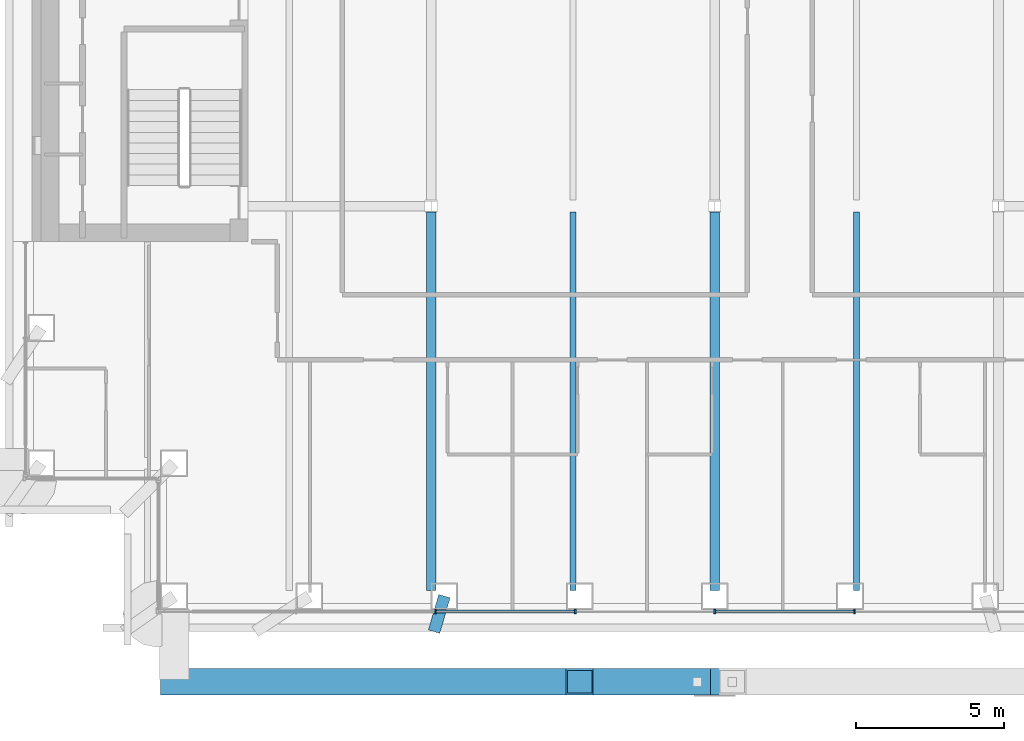
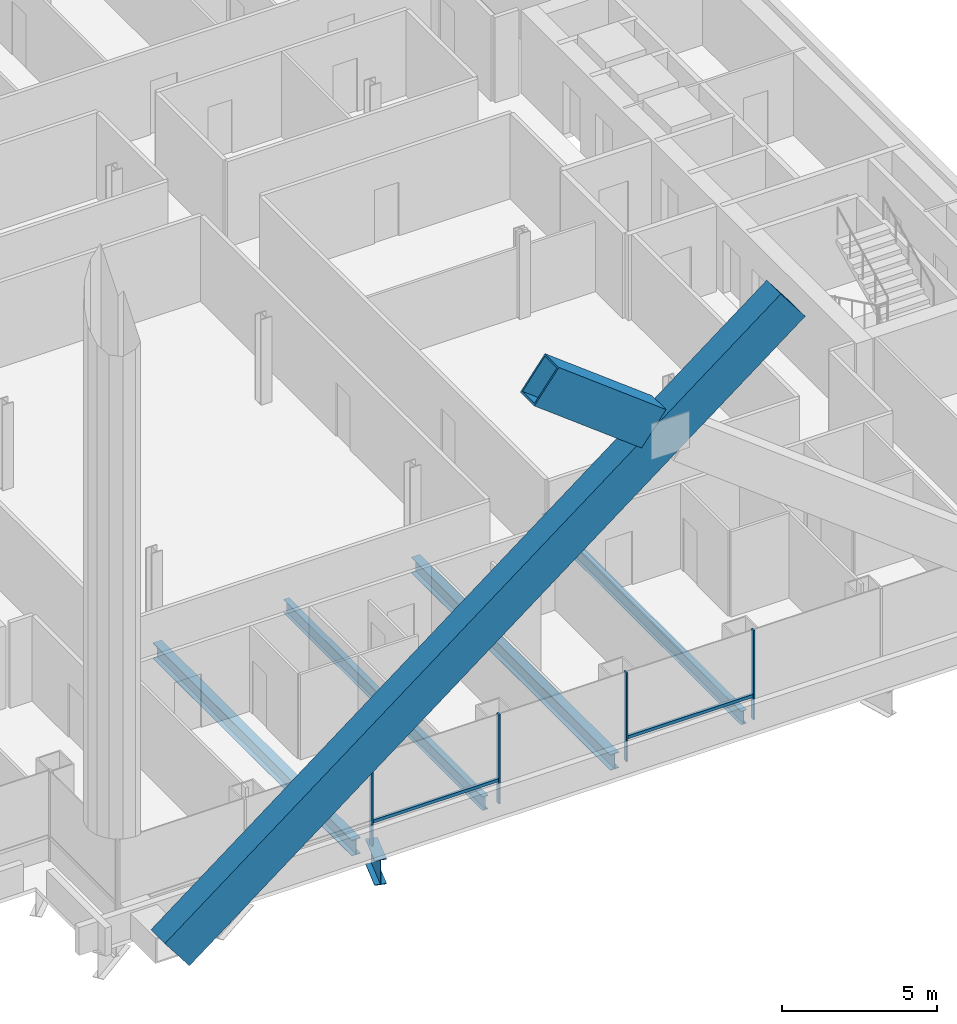
# One storey, part 3 of 22: 8 members, 5 beams, 1 element without a shape of its own.
"""IFC4 building model written with IfcOpenShell, lengths in metres."""

from ifc_helpers import new_model, si_unit, direction, frame, origin, origin_2d, place, context, subcontext, project, spatial, rectangle, hollow_rectangle, i_section, extrude, material, material_profile, profile_set, type_object, element, aggregate, save


model = new_model("IFC4")

# Units and contexts
model_context = context("Model", 3, precision=1e-05, world=origin(), true_north=direction((0.0, 1.0)))
body_context = subcontext(model_context, "Body", "Model", "MODEL_VIEW")
ifc_project = project(units=[si_unit("LENGTHUNIT", "METRE"), si_unit("AREAUNIT", "SQUARE_METRE"), si_unit("VOLUMEUNIT", "CUBIC_METRE"), si_unit("PLANEANGLEUNIT", "RADIAN"), si_unit("MASSUNIT", "GRAM", prefix="KILO")], contexts=[model_context])

# Site, building, storey
site_placement = place(None, origin())
site = spatial("IfcSite", under=ifc_project, at=site_placement, CompositionType="ELEMENT")
building_placement = place(site_placement, origin())
building = spatial("IfcBuilding", under=site, at=building_placement, Name="Cobrizo Arcos Hotel Tower", CompositionType="ELEMENT")
storey_placement = place(building_placement, frame((0.0, 0.0, 89.0)))
storey = spatial("IfcBuildingStorey", under=building, at=storey_placement, Name="L21", CompositionType="ELEMENT", Elevation=89.0)

# Members
ifc_material_1 = material(Name="Steel ASTM A572 Grade 50", Category="steel")
ifc_material_profile_1 = material_profile(ifc_material_1, hollow_rectangle(XDim=0.89990234375, YDim=1.5, WallThickness=0.06494140625, at=origin_2d()), Name="BOX 900X1500X65")
ifc_profile_set_1 = profile_set([ifc_material_profile_1], Name="Steel ASTM A572 Grade 50")
member_type_1 = type_object("IfcMemberType", Name="BOX 900X1500X65 perimeter brace", PredefinedType="BRACE", material=ifc_profile_set_1)
member_1_placement = place(storey_placement, frame((-18.300048828125, -25.699951171875, 0.5), z_axis=(0.794234626601, 0.0, 0.607611189749), x_axis=(0.0, 1.0, 0.0)))
element("IfcMember", 1, at=member_1_placement, inside=storey, type_object=member_type_1, Name="Perimeter brace PBR2, zone Z2, south face, no. 00", PredefinedType="BRACE", context=body_context, shape_type="SweptSolid", body=[
    extrude(hollow_rectangle(XDim=0.89990234375, YDim=1.5, WallThickness=0.06494140625, at=origin_2d()), origin(), (0.0, 0.0, 1.0), 28.80126953125),
])
member_2_placement = place(storey_placement, frame((-0.59326171875, -25.699951171875, 14.953857421875), z_axis=(-0.794230645471, 0.0, 0.607616393619), x_axis=(0.0, -1.0, 0.0)))
element("IfcMember", 2, at=member_2_placement, inside=storey, type_object=member_type_1, Name="Perimeter brace PBR2, zone Z2, south face, no. 01b", PredefinedType="BRACE", context=body_context, shape_type="SweptSolid", body=[
    extrude(hollow_rectangle(XDim=0.89990234375, YDim=1.5, WallThickness=0.06494140625, at=origin_2d()), origin(), (0.0, 0.0, 1.0), 5.01318359375),
])

# Curtain wall, members
ifc_material_2 = material(Name="Aluminium 6063-T6 anodised bronze", Category="aluminium")
curtain_wall_type = type_object("IfcCurtainWallType", Name="CW-A guest facade", PredefinedType="NOTDEFINED", material=ifc_material_2)
curtain_wall_placement = place(storey_placement, origin())
curtain_wall = element("IfcCurtainWall", 3, at=curtain_wall_placement, inside=storey, type_object=curtain_wall_type, Name="CW-A L21 S face", PredefinedType="NOTDEFINED")
ifc_material_profile_2 = material_profile(ifc_material_2, rectangle(XDim=0.14990234375, YDim=0.06005859375, at=origin_2d()), Name="CW-A mullion 150x60")
ifc_profile_set_2 = profile_set([ifc_material_profile_2], Name="Aluminium 6063-T6 anodised bronze")
member_type_2 = type_object("IfcMemberType", Name="CW-A mullion 150x60", PredefinedType="MULLION", material=ifc_profile_set_2)
member_3_placement = place(storey_placement, frame((-9.449951171875, -23.324951171875, 0.0), z_axis=(0.0, 0.0, 1.0), x_axis=(0.0, -1.0, 0.0)))
member_3 = element("IfcMember", 4, at=member_3_placement, type_object=member_type_2, Name="CW-A mullion 3", PredefinedType="MULLION", context=body_context, shape_type="SweptSolid", body=[
    extrude(rectangle(XDim=0.14990234375, YDim=0.06005859375, at=origin_2d()), origin(), (0.0, 0.0, 1.0), 3.5),
])
member_4_placement = place(storey_placement, frame((-4.72509765625, -23.324951171875, 0.0), z_axis=(0.0, 0.0, 1.0), x_axis=(0.0, -1.0, 0.0)))
member_4 = element("IfcMember", 5, at=member_4_placement, type_object=member_type_2, Name="CW-A mullion 4", PredefinedType="MULLION", context=body_context, shape_type="SweptSolid", body=[
    extrude(rectangle(XDim=0.14990234375, YDim=0.06005859375, at=origin_2d()), origin(), (0.0, 0.0, 1.0), 3.5),
])
member_5_placement = place(storey_placement, frame((0.0, -23.324951171875, 0.0), z_axis=(0.0, 0.0, 1.0), x_axis=(0.0, -1.0, 0.0)))
member_5 = element("IfcMember", 6, at=member_5_placement, type_object=member_type_2, Name="CW-A mullion 5", PredefinedType="MULLION", context=body_context, shape_type="SweptSolid", body=[
    extrude(rectangle(XDim=0.14990234375, YDim=0.06005859375, at=origin_2d()), origin(), (0.0, 0.0, 1.0), 3.5),
])
member_6_placement = place(storey_placement, frame((4.72509765625, -23.324951171875, 0.0), z_axis=(0.0, 0.0, 1.0), x_axis=(0.0, -1.0, 0.0)))
member_6 = element("IfcMember", 7, at=member_6_placement, type_object=member_type_2, Name="CW-A mullion 6", PredefinedType="MULLION", context=body_context, shape_type="SweptSolid", body=[
    extrude(rectangle(XDim=0.14990234375, YDim=0.06005859375, at=origin_2d()), origin(), (0.0, 0.0, 1.0), 3.5),
])
ifc_material_profile_3 = material_profile(ifc_material_2, rectangle(XDim=0.10009765625, YDim=0.1201171875, at=origin_2d()), Name="CW-A transom 120x100")
ifc_profile_set_3 = profile_set([ifc_material_profile_3], Name="Aluminium 6063-T6 anodised bronze")
member_type_3 = type_object("IfcMemberType", Name="CW-A transom 120x100", PredefinedType="USERDEFINED", material=ifc_profile_set_3)
member_7_placement = place(storey_placement, frame((-9.419921875, -23.324951171875, 0.929931640625), z_axis=(1.0, 0.0, 0.0), x_axis=(0.0, 1.0, 0.0)))
member_7 = element("IfcMember", 8, at=member_7_placement, type_object=member_type_3, Name="CW-A transom 853", ObjectType="TRANSOM", PredefinedType="USERDEFINED", context=body_context, shape_type="SweptSolid", body=[
    extrude(rectangle(XDim=0.10009765625, YDim=0.1201171875, at=origin_2d()), origin(), (0.0, 0.0, 1.0), 4.6650390625),
])
member_8_placement = place(storey_placement, frame((0.030029296875, -23.324951171875, 0.929931640625), z_axis=(1.0, 0.0, 0.0), x_axis=(0.0, 1.0, 0.0)))
member_8 = element("IfcMember", 9, at=member_8_placement, type_object=member_type_3, Name="CW-A transom 855", ObjectType="TRANSOM", PredefinedType="USERDEFINED", context=body_context, shape_type="SweptSolid", body=[
    extrude(rectangle(XDim=0.10009765625, YDim=0.1201171875, at=origin_2d()), origin(), (0.0, 0.0, 1.0), 4.6650390625),
])
aggregate(curtain_wall, [member_3, member_4, member_5, member_6, member_7, member_8])

# Beams
ifc_material_3 = material(Name="Steel ASTM A992 Grade 50", Category="steel")
ifc_material_profile_4 = material_profile(ifc_material_3, i_section(OverallWidth=0.209228515625, OverallDepth=0.533447265625, WebThickness=0.01025390625, FlangeThickness=0.015625, at=origin_2d()), Name="W21X62")
ifc_profile_set_4 = profile_set([ifc_material_profile_4], Name="Steel ASTM A992 Grade 50")
beam_type_1 = type_object("IfcBeamType", Name="W21X62 joist", PredefinedType="JOIST", material=ifc_profile_set_4)
for number, where, z_axis, x_axis, name in (
    (10, (-4.800048828125, -22.599609375, -0.416748046875), (0.0, 1.0, 0.0), (-1.0, 0.0, 0.0), "Floor joist J1, L21, no. 009"),
    (11, (4.800048828125, -22.599609375, -0.416748046875), (0.0, 1.0, 0.0), (-1.0, 0.0, 0.0), "Floor joist J1, L21, no. 013"),
):
    element("IfcBeam", number, at=place(storey_placement, frame(where, z_axis=z_axis, x_axis=x_axis)), inside=storey, type_object=beam_type_1, Name=name, PredefinedType="JOIST", context=body_context, shape_type="SweptSolid", body=[
        extrude(i_section(OverallWidth=0.209228515625, OverallDepth=0.533447265625, WebThickness=0.01025390625, FlangeThickness=0.015625, at=origin_2d()), origin(), (0.0, 0.0, 1.0), 12.799072265625),
    ])
ifc_material_profile_5 = material_profile(ifc_material_3, i_section(OverallWidth=0.32763671875, OverallDepth=0.622314453125, WebThickness=0.015380859375, FlangeThickness=0.0244140625, at=origin_2d()), Name="W24X131")
ifc_profile_set_5 = profile_set([ifc_material_profile_5], Name="Steel ASTM A992 Grade 50")
beam_type_2 = type_object("IfcBeamType", Name="W24X131 girder", PredefinedType="BEAM", material=ifc_profile_set_5)
beam_1_placement = place(storey_placement, frame((-9.60009765625, -22.599609375, -0.461181640625), z_axis=(0.0, 1.0, 0.0), x_axis=(-1.0, 0.0, 0.0)))
element("IfcBeam", 12, at=beam_1_placement, inside=storey, type_object=beam_type_2, Name="Floor girder G1, L21, no. 007", PredefinedType="BEAM", context=body_context, shape_type="SweptSolid", body=[
    extrude(i_section(OverallWidth=0.32763671875, OverallDepth=0.622314453125, WebThickness=0.015380859375, FlangeThickness=0.0244140625, at=origin_2d()), origin(), (0.0, 0.0, 1.0), 12.795166015625),
])
beam_2_placement = place(storey_placement, frame((0.0, -22.599609375, -0.461181640625), z_axis=(0.0, 1.0, 0.0), x_axis=(-1.0, 0.0, 0.0)))
element("IfcBeam", 13, at=beam_2_placement, inside=storey, type_object=beam_type_2, Name="Floor girder G1, L21, no. 011", PredefinedType="BEAM", context=body_context, shape_type="SweptSolid", body=[
    extrude(i_section(OverallWidth=0.32763671875, OverallDepth=0.622314453125, WebThickness=0.015380859375, FlangeThickness=0.0244140625, at=origin_2d()), origin(), (0.0, 0.0, 1.0), 12.799072265625),
])
ifc_material_profile_6 = material_profile(ifc_material_3, i_section(OverallWidth=0.4013671875, OverallDepth=0.990478515625, WebThickness=0.0166015625, FlangeThickness=0.025390625, at=origin_2d()), Name="W40X215")
ifc_profile_set_6 = profile_set([ifc_material_profile_6], Name="Steel ASTM A992 Grade 50")
beam_type_3 = type_object("IfcBeamType", Name="W40X215 transfer girder", PredefinedType="BEAM", material=ifc_profile_set_6)
beam_3_placement = place(storey_placement, frame((-9.5, -24.0, -0.645263671875), z_axis=(0.280082500255, 0.959975933579, 0.0), x_axis=(-0.959975933579, 0.280082500255, 0.0)))
element("IfcBeam", 14, at=beam_3_placement, inside=storey, type_object=beam_type_3, Name="Setback transfer girder TG1, L21, no. 006", PredefinedType="BEAM", context=body_context, shape_type="SweptSolid", body=[
    extrude(i_section(OverallWidth=0.4013671875, OverallDepth=0.990478515625, WebThickness=0.0166015625, FlangeThickness=0.025390625, at=origin_2d()), origin(), (0.0, 0.0, 1.0), 1.25),
])

save(model, "model.ifc")
